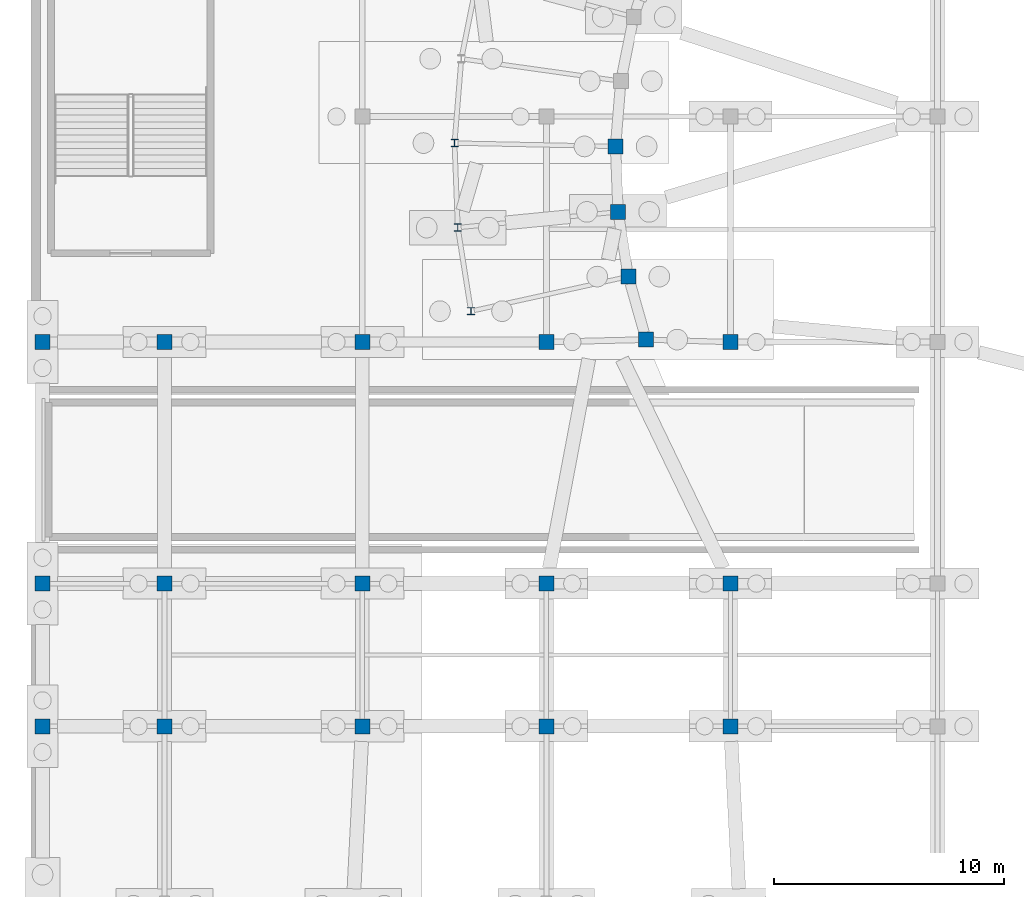
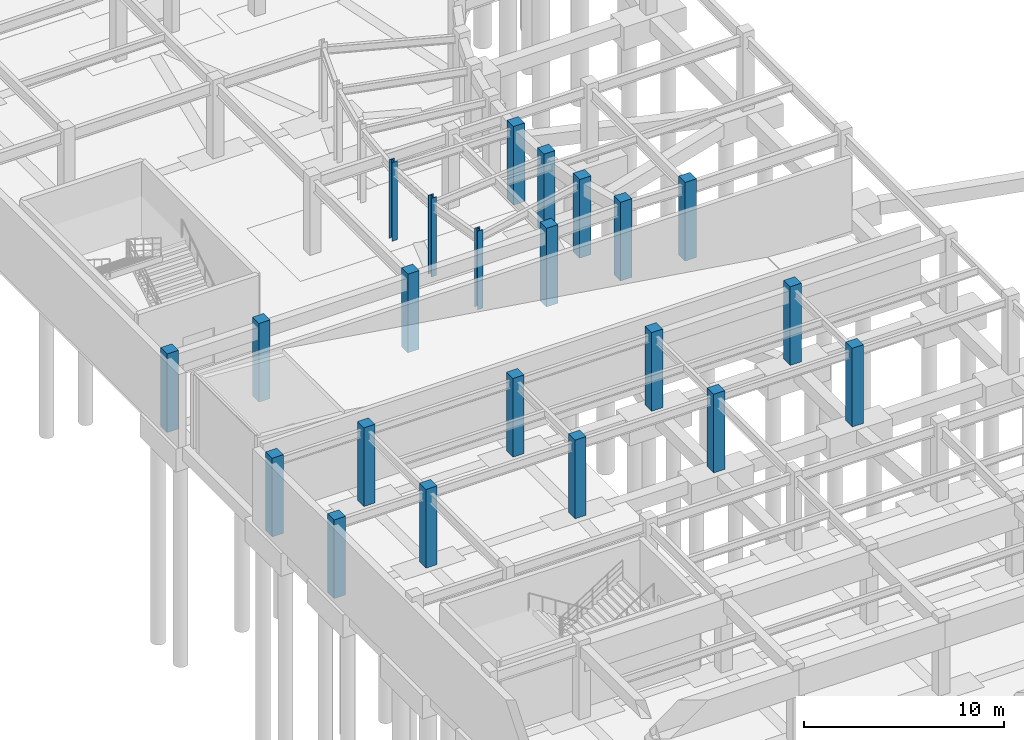
# One storey, part 10 of 68: 22 columns.
"""IFC4 building model written with IfcOpenShell, lengths in metres."""

from ifc_helpers import new_model, si_unit, direction, frame, origin, origin_2d, place, context, subcontext, project, spatial, rectangle, i_section, extrude, material, material_profile, profile_set, type_object, element, save


model = new_model("IFC4")

# Units and contexts
model_context = context("Model", 3, precision=1e-05, world=origin(), true_north=direction((0.0, 1.0)))
body_context = subcontext(model_context, "Body", "Model", "MODEL_VIEW")
ifc_project = project(units=[si_unit("LENGTHUNIT", "METRE"), si_unit("AREAUNIT", "SQUARE_METRE"), si_unit("VOLUMEUNIT", "CUBIC_METRE"), si_unit("PLANEANGLEUNIT", "RADIAN"), si_unit("MASSUNIT", "GRAM", prefix="KILO")], contexts=[model_context])

# Site, building, storey
site_placement = place(None, origin())
site = spatial("IfcSite", under=ifc_project, at=site_placement, CompositionType="ELEMENT")
building_placement = place(site_placement, origin())
building = spatial("IfcBuilding", under=site, at=building_placement, Name="Cinderbank Siding Concert Hall", CompositionType="ELEMENT")
storey_placement = place(building_placement, frame((0.0, 0.0, -4.800048828125)))
storey = spatial("IfcBuildingStorey", under=building, at=storey_placement, Name="B1", CompositionType="ELEMENT", Elevation=-4.800048828125)

# Columns
ifc_material_1 = material(Name="Reinforced concrete AS 3600 N50 (50 MPa)", Category="concrete")
ifc_material_profile_1 = material_profile(ifc_material_1, rectangle(XDim=0.64990234375, YDim=0.64990234375, at=origin_2d()), Name="RC-COL-650x650", Category="LoadBearing")
ifc_profile_set_1 = profile_set([ifc_material_profile_1], Name="Reinforced concrete AS 3600 N50 (50 MPa)")
column_type_1 = type_object("IfcColumnType", Name="C-RC650 RC-COL-650x650", PredefinedType="COLUMN", material=ifc_profile_set_1)
for number, where, z_axis, x_axis, name in (
    (1, (32.0048828125, 68.5029296875, 0.0), (0.0, 0.0, 1.0), (1.0, 0.0, 0.0), "B1 Column COL-WIN-12"),
    (2, (32.114013671875, 65.657958984375, 0.0), (0.0, 0.0, 1.0), (1.0, 0.0, 0.0), "B1 Column COL-WIN-13"),
    (3, (32.56005859375, 62.845947265625, 0.0), (0.0, 0.0, 1.0), (1.0, 0.0, 0.0), "B1 Column COL-WIN-14"),
    (4, (33.3349609375, 60.10693359375, 0.0), (0.0, 0.0, 1.0), (1.0, 0.0, 0.0), "B1 Column COL-WIN-15"),
    (5, (7.10009765625, 43.300048828125, 0.0), (0.0, 0.0, 1.0), (1.0, 0.0, 0.0), "B1 Column COL-WL-1-1"),
    (6, (7.10009765625, 49.5, 0.0), (0.0, 0.0, 1.0), (1.0, 0.0, 0.0), "B1 Column COL-WL-1-2"),
    (7, (7.10009765625, 60.0, 0.0), (0.0, 0.0, 1.0), (1.0, 0.0, 0.0), "B1 Column COL-WL-1-3"),
    (8, (12.39990234375, 43.300048828125, 0.0), (0.0, 0.0, 1.0), (1.0, 0.0, 0.0), "B1 Column COL-WL-2-1"),
    (9, (12.39990234375, 49.5, 0.0), (0.0, 0.0, 1.0), (1.0, 0.0, 0.0), "B1 Column COL-WL-2-2"),
    (10, (12.39990234375, 60.0, 0.0), (0.0, 0.0, 1.0), (1.0, 0.0, 0.0), "B1 Column COL-WL-2-3"),
    (11, (21.0, 43.300048828125, 0.0), (0.0, 0.0, 1.0), (1.0, 0.0, 0.0), "B1 Column COL-WL-3-1"),
    (12, (21.0, 49.5, 0.0), (0.0, 0.0, 1.0), (1.0, 0.0, 0.0), "B1 Column COL-WL-3-2"),
    (13, (21.0, 60.0, 0.0), (0.0, 0.0, 1.0), (1.0, 0.0, 0.0), "B1 Column COL-WL-3-3"),
    (14, (29.0, 43.300048828125, 0.0), (0.0, 0.0, 1.0), (1.0, 0.0, 0.0), "B1 Column COL-WL-4-1"),
    (15, (29.0, 49.5, 0.0), (0.0, 0.0, 1.0), (1.0, 0.0, 0.0), "B1 Column COL-WL-4-2"),
    (16, (29.0, 60.0, 0.0), (0.0, 0.0, 1.0), (1.0, 0.0, 0.0), "B1 Column COL-WL-4-3"),
    (17, (37.0, 43.300048828125, 0.0), (0.0, 0.0, 1.0), (1.0, 0.0, 0.0), "B1 Column COL-WL-5-1"),
    (18, (37.0, 49.5, 0.0), (0.0, 0.0, 1.0), (1.0, 0.0, 0.0), "B1 Column COL-WL-5-2"),
    (19, (37.0, 60.0, 0.0), (0.0, 0.0, 1.0), (1.0, 0.0, 0.0), "B1 Column COL-WL-5-3"),
):
    element("IfcColumn", number, at=place(storey_placement, frame(where, z_axis=z_axis, x_axis=x_axis)), inside=storey, type_object=column_type_1, Name=name, PredefinedType="COLUMN", context=body_context, shape_type="SweptSolid", body=[
        extrude(rectangle(XDim=0.64990234375, YDim=0.64990234375, at=origin_2d()), origin(), (0.0, 0.0, 1.0), 4.800048828125),
    ])
ifc_material_2 = material(Name="Structural steel AS/NZS 3679.1 Grade 350 (340 MPa)", Category="steel")
ifc_material_profile_2 = material_profile(ifc_material_2, i_section(OverallWidth=0.306884765625, OverallDepth=0.314697265625, WebThickness=0.011962890625, FlangeThickness=0.018798828125, at=origin_2d()), Name="310UC118", Category="LoadBearing")
ifc_profile_set_2 = profile_set([ifc_material_profile_2], Name="Structural steel AS/NZS 3679.1 Grade 350 (340 MPa)")
column_type_2 = type_object("IfcColumnType", Name="C-UC310 310UC118", PredefinedType="COLUMN", material=ifc_profile_set_2)
for number, where, z_axis, x_axis, name in (
    (20, (25.007080078125, 68.64892578125, 0.0), (0.0, 0.0, 1.0), (1.0, 0.0, 0.0), "B1 Column COL-WMID-12"),
    (21, (25.722900390625, 61.343017578125, 0.0), (0.0, 0.0, 1.0), (1.0, 0.0, 0.0), "B1 Column COL-WMID-14"),
):
    element("IfcColumn", number, at=place(storey_placement, frame(where, z_axis=z_axis, x_axis=x_axis)), inside=storey, type_object=column_type_2, Name=name, PredefinedType="COLUMN", context=body_context, shape_type="SweptSolid", body=[
        extrude(i_section(OverallWidth=0.306884765625, OverallDepth=0.314697265625, WebThickness=0.011962890625, FlangeThickness=0.018798828125, at=origin_2d()), origin(), (0.0, 0.0, 1.0), 4.800048828125),
    ])
ifc_material_profile_3 = material_profile(ifc_material_2, i_section(OverallWidth=0.31103515625, OverallDepth=0.3271484375, WebThickness=0.015625, FlangeThickness=0.02490234375, at=origin_2d()), Name="310UC158", Category="LoadBearing")
ifc_profile_set_3 = profile_set([ifc_material_profile_3], Name="Structural steel AS/NZS 3679.1 Grade 350 (340 MPa)")
column_type_3 = type_object("IfcColumnType", Name="C-UC310H 310UC158", PredefinedType="COLUMN", material=ifc_profile_set_3)
column_placement = place(storey_placement, frame((25.14794921875, 64.97509765625, 0.0), z_axis=(0.0, 0.0, 1.0), x_axis=(1.0, 0.0, 0.0)))
element("IfcColumn", 22, at=column_placement, inside=storey, type_object=column_type_3, Name="B1 Column COL-WMID-13", PredefinedType="COLUMN", context=body_context, shape_type="SweptSolid", body=[
    extrude(i_section(OverallWidth=0.31103515625, OverallDepth=0.3271484375, WebThickness=0.015625, FlangeThickness=0.02490234375, at=origin_2d()), origin(), (0.0, 0.0, 1.0), 4.800048828125),
])

save(model, "model.ifc")
